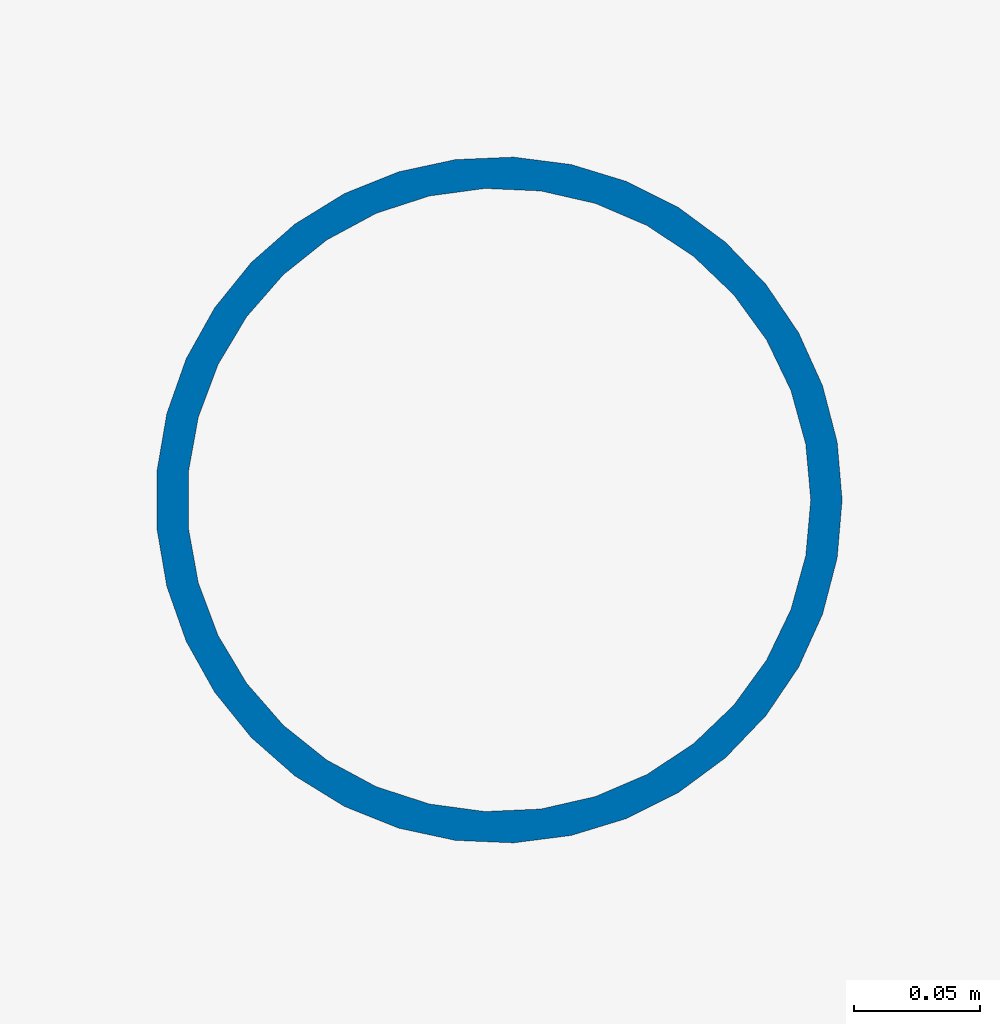
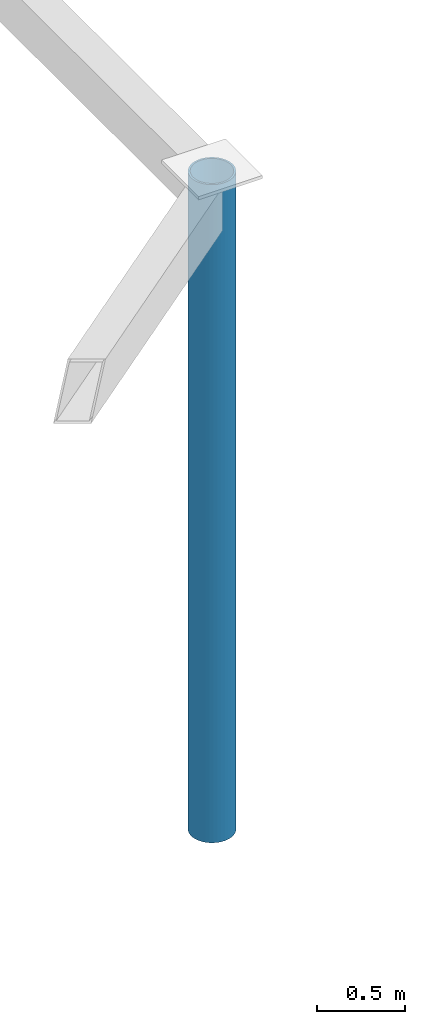
# One storey, part 5 of 120: 1 column.
"""IFC4 building model written with IfcOpenShell, lengths in metres."""

from ifc_helpers import new_model, si_unit, direction, frame, origin, origin_2d, place, context, subcontext, project, spatial, hollow_circle, extrude, material, material_profile, profile_set, type_object, element, save


model = new_model("IFC4")

# Units and contexts
model_context = context("Model", 3, precision=1e-05, world=origin(), true_north=direction((0.0, 1.0)))
body_context = subcontext(model_context, "Body", "Model", "MODEL_VIEW")
ifc_project = project(units=[si_unit("LENGTHUNIT", "METRE"), si_unit("AREAUNIT", "SQUARE_METRE"), si_unit("VOLUMEUNIT", "CUBIC_METRE"), si_unit("PLANEANGLEUNIT", "RADIAN"), si_unit("MASSUNIT", "GRAM", prefix="KILO")], contexts=[model_context])

# Site, building, storey
site_placement = place(None, origin())
site = spatial("IfcSite", under=ifc_project, at=site_placement, CompositionType="ELEMENT")
building_placement = place(site_placement, origin())
building = spatial("IfcBuilding", under=site, at=building_placement, Name="Corveleigh Park Community Centre", CompositionType="ELEMENT")
storey_placement = place(building_placement, origin())
storey = spatial("IfcBuildingStorey", under=building, at=storey_placement, Name="L00", CompositionType="ELEMENT", Elevation=0.0)

# Column
ifc_material = material(Name="Steel S355", Category="steel")
ifc_material_profile = material_profile(ifc_material, hollow_circle(Radius=0.136474609375, WallThickness=0.012451171875, at=origin_2d()), Name="CHS 273.0x12.5", Category="steel")
ifc_profile_set = profile_set([ifc_material_profile], Name="Steel S355")
column_type = type_object("IfcColumnType", Name="COL-STL-CHS273", PredefinedType="COLUMN", material=ifc_profile_set)
column_placement = place(storey_placement, frame((112.0, 30.0, 0.0), z_axis=(0.0, 0.0, 1.0), x_axis=(1.0, 0.0, 0.0)))
element("IfcColumn", 1, at=column_placement, inside=storey, type_object=column_type, Name="Column V5-E4 L00", PredefinedType="COLUMN", context=body_context, shape_type="SweptSolid", body=[
    extrude(hollow_circle(Radius=0.136474609375, WallThickness=0.012451171875, at=origin_2d()), origin(), (0.0, 0.0, 1.0), 4.56591796875),
])

save(model, "model.ifc")
